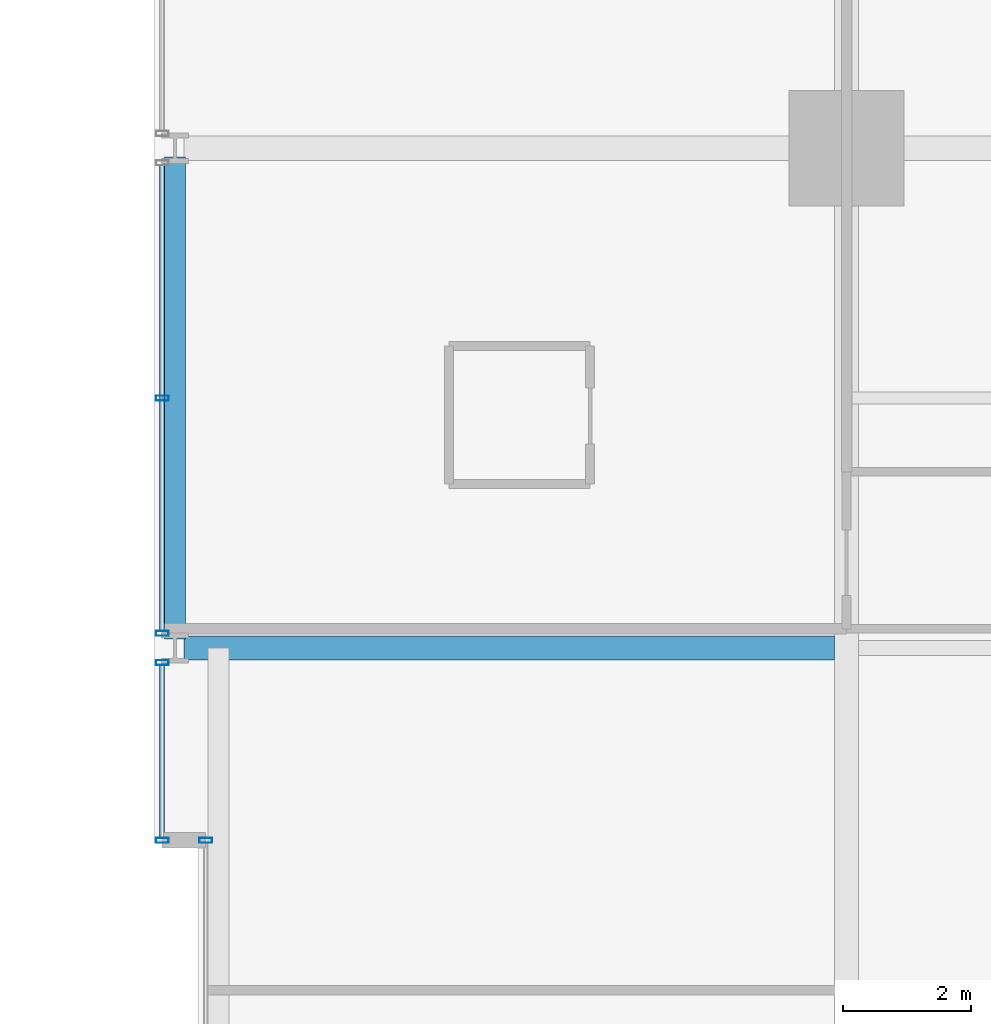
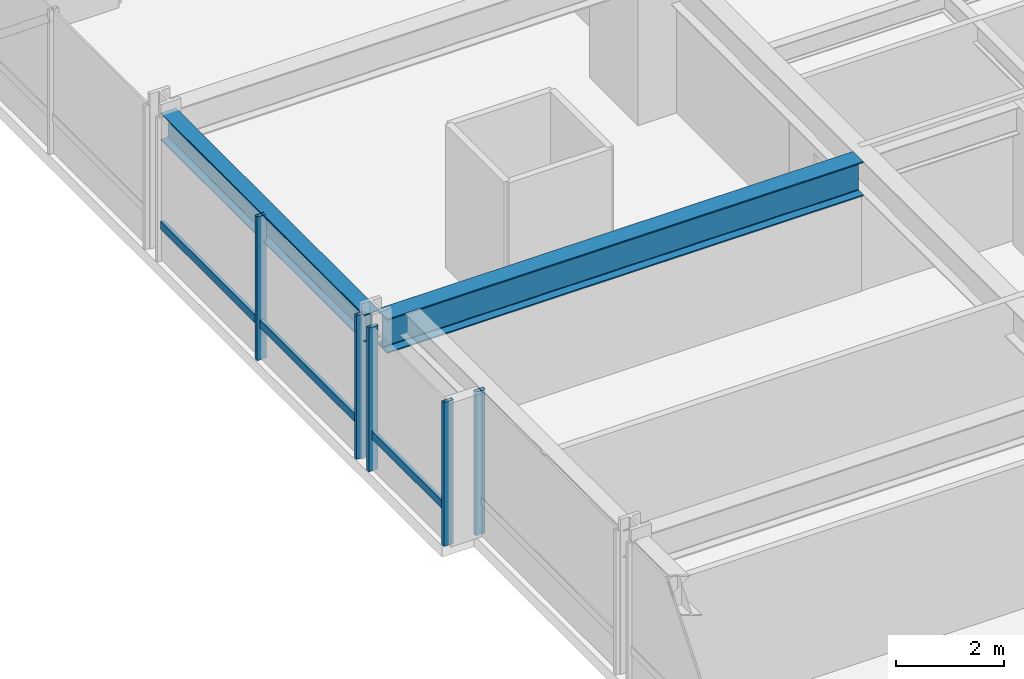
# One storey, part 17 of 37: 7 members, 2 beams, 3 elements without a shape of their own.
"""IFC4 building model written with IfcOpenShell, lengths in metres."""

from ifc_helpers import new_model, si_unit, direction, frame, origin, origin_2d, place, context, subcontext, project, spatial, hollow_rectangle, i_section, extrude, material, layer, layer_set, material_profile, profile_set, type_object, element, aggregate, save


model = new_model("IFC4")

# Units and contexts
model_context = context("Model", 3, precision=1e-05, world=origin(), true_north=direction((0.0, 1.0)))
body_context = subcontext(model_context, "Body", "Model", "MODEL_VIEW")
ifc_project = project(units=[si_unit("LENGTHUNIT", "METRE"), si_unit("AREAUNIT", "SQUARE_METRE"), si_unit("VOLUMEUNIT", "CUBIC_METRE"), si_unit("PLANEANGLEUNIT", "RADIAN"), si_unit("MASSUNIT", "GRAM", prefix="KILO")], contexts=[model_context])

# Site, building, storey
site_placement = place(None, origin())
site = spatial("IfcSite", under=ifc_project, at=site_placement, CompositionType="ELEMENT")
building_placement = place(site_placement, origin())
building = spatial("IfcBuilding", under=site, at=building_placement, Name="Drelvath Grand Hotel", CompositionType="ELEMENT")
storey_placement = place(building_placement, frame((0.0, 0.0, 75.199951171875)))
storey = spatial("IfcBuildingStorey", under=building, at=storey_placement, Name="L18", CompositionType="ELEMENT", Elevation=75.199951171875)

# Curtain wall, member
ifc_material_1 = material(Name="Warm Bronze Anodised Aluminium Frame", Category="aluminium")
ifc_layer = layer(ifc_material_1, 0.199951171875)
ifc_layer_set = layer_set([ifc_layer], Name="Warm Bronze Anodised Aluminium Frame")
curtain_wall_type = type_object("IfcCurtainWallType", Name="Stick Curtain Wall CW-02 Warm Bronze Low-Rise", PredefinedType="NOTDEFINED", material=ifc_layer_set)
curtain_wall_1_placement = place(storey_placement, origin())
curtain_wall_1 = element("IfcCurtainWall", 1, at=curtain_wall_1_placement, inside=storey, type_object=curtain_wall_type, Name="L18 CW-02 Curtain Wall CW02-L18-WN1", PredefinedType="NOTDEFINED")
ifc_material_profile_1 = material_profile(ifc_material_1, hollow_rectangle(XDim=0.074951171875, YDim=0.179931640625, WallThickness=0.0048828125, at=origin_2d()), Name="HSS180X75X5")
ifc_profile_set_1 = profile_set([ifc_material_profile_1], Name="Warm Bronze Anodised Aluminium Frame")
member_type_1 = type_object("IfcMemberType", Name="Curtain Wall Horizontal Transom CW-02 HSS180X75X5", PredefinedType="USERDEFINED", material=ifc_profile_set_1)
member_1_placement = place(storey_placement, frame((-26.8798828125, 32.43994140625, 0.81005859375), z_axis=(0.0, 1.0, 0.0), x_axis=(-1.0, 0.0, 0.0)))
member_1 = element("IfcMember", 2, at=member_1_placement, type_object=member_type_1, Name="CW02-L18-WN1 Sill Transom", ObjectType="TRANSOM", PredefinedType="USERDEFINED", context=body_context, shape_type="SweptSolid", body=[
    extrude(hollow_rectangle(XDim=0.074951171875, YDim=0.179931640625, WallThickness=0.0048828125, at=origin_2d()), origin(), (0.0, 0.0, 1.0), 2.69091796875),
])

curtain_wall_2_placement = place(storey_placement, origin())
curtain_wall_2 = element("IfcCurtainWall", 3, at=curtain_wall_2_placement, inside=storey, type_object=curtain_wall_type, Name="L18 CW-02 Curtain Wall CW02-L18-WN2", PredefinedType="NOTDEFINED")
member_2_placement = place(storey_placement, frame((-26.8798828125, 35.669189453125, 0.81005859375), z_axis=(0.0, 1.0, 0.0), x_axis=(-1.0, 0.0, 0.0)))
member_2 = element("IfcMember", 4, at=member_2_placement, type_object=member_type_1, Name="CW02-L18-WN2 Sill Transom", ObjectType="TRANSOM", PredefinedType="USERDEFINED", context=body_context, shape_type="SweptSolid", body=[
    extrude(hollow_rectangle(XDim=0.074951171875, YDim=0.179931640625, WallThickness=0.0048828125, at=origin_2d()), origin(), (0.0, 0.0, 1.0), 7.26171875),
])

curtain_wall_3_placement = place(storey_placement, origin())
curtain_wall_3 = element("IfcCurtainWall", 5, at=curtain_wall_3_placement, inside=storey, type_object=curtain_wall_type, Name="L18 CW-02 Curtain Wall CW02-L18-WM2", PredefinedType="NOTDEFINED")
ifc_material_profile_2 = material_profile(ifc_material_1, hollow_rectangle(XDim=0.080078125, YDim=0.199951171875, WallThickness=0.0048828125, at=origin_2d()), Name="HSS200X80X5")
ifc_profile_set_2 = profile_set([ifc_material_profile_2], Name="Warm Bronze Anodised Aluminium Frame")
member_type_2 = type_object("IfcMemberType", Name="Curtain Wall Vertical Mullion CW-02 HSS200X80X5", PredefinedType="MULLION", material=ifc_profile_set_2)
member_3_placement = place(storey_placement, frame((-26.199951171875, 32.39990234375, 0.0), z_axis=(0.0, 0.0, 1.0), x_axis=(0.0, 1.0, 0.0)))
member_3 = element("IfcMember", 6, at=member_3_placement, type_object=member_type_2, Name="CW02-L18-WM2 Mullion 2", PredefinedType="MULLION", context=body_context, shape_type="SweptSolid", body=[
    extrude(hollow_rectangle(XDim=0.080078125, YDim=0.199951171875, WallThickness=0.0048828125, at=origin_2d()), origin(), (0.0, 0.0, 1.0), 3.239990234375),
])
aggregate(curtain_wall_3, [member_3])

# Member
member_4_placement = place(storey_placement, frame((-26.8798828125, 32.39990234375, 0.0), z_axis=(0.0, 0.0, 1.0), x_axis=(0.0, 1.0, 0.0)))
member_4 = element("IfcMember", 7, at=member_4_placement, type_object=member_type_2, Name="CW02-L18-WN1 Mullion 1", PredefinedType="MULLION", context=body_context, shape_type="SweptSolid", body=[
    extrude(hollow_rectangle(XDim=0.080078125, YDim=0.199951171875, WallThickness=0.0048828125, at=origin_2d()), origin(), (0.0, 0.0, 1.0), 3.239990234375),
])

member_5_placement = place(storey_placement, frame((-26.8798828125, 35.1708984375, 0.0), z_axis=(0.0, 0.0, 1.0), x_axis=(0.0, 1.0, 0.0)))
member_5 = element("IfcMember", 8, at=member_5_placement, type_object=member_type_2, Name="CW02-L18-WN1 Mullion 2", PredefinedType="MULLION", context=body_context, shape_type="SweptSolid", body=[
    extrude(hollow_rectangle(XDim=0.080078125, YDim=0.199951171875, WallThickness=0.0048828125, at=origin_2d()), origin(), (0.0, 0.0, 1.0), 3.239990234375),
])

aggregate(curtain_wall_1, [member_4, member_5, member_1])

member_6_placement = place(storey_placement, frame((-26.8798828125, 35.629150390625, 0.0), z_axis=(0.0, 0.0, 1.0), x_axis=(0.0, 1.0, 0.0)))
member_6 = element("IfcMember", 9, at=member_6_placement, type_object=member_type_2, Name="CW02-L18-WN2 Mullion 1", PredefinedType="MULLION", context=body_context, shape_type="SweptSolid", body=[
    extrude(hollow_rectangle(XDim=0.080078125, YDim=0.199951171875, WallThickness=0.0048828125, at=origin_2d()), origin(), (0.0, 0.0, 1.0), 3.239990234375),
])

member_7_placement = place(storey_placement, frame((-26.8798828125, 39.300048828125, 0.0), z_axis=(0.0, 0.0, 1.0), x_axis=(0.0, 1.0, 0.0)))
member_7 = element("IfcMember", 10, at=member_7_placement, type_object=member_type_2, Name="CW02-L18-WN2 Mullion 2", PredefinedType="MULLION", context=body_context, shape_type="SweptSolid", body=[
    extrude(hollow_rectangle(XDim=0.080078125, YDim=0.199951171875, WallThickness=0.0048828125, at=origin_2d()), origin(), (0.0, 0.0, 1.0), 3.239990234375),
])

aggregate(curtain_wall_2, [member_6, member_7, member_2])

# Beams
ifc_material_2 = material(Name="Steel ASTM A992 Gr 50", Category="steel")
ifc_material_profile_3 = material_profile(ifc_material_2, i_section(OverallWidth=0.323974609375, OverallDepth=0.611083984375, WebThickness=0.0126953125, FlangeThickness=0.01904296875, FilletRadius=0.02197265625, at=origin_2d()), Name="W24X104")
ifc_profile_set_3 = profile_set([ifc_material_profile_3], Name="Steel ASTM A992 Gr 50")
beam_type_1 = type_object("IfcBeamType", Name="Perimeter Spandrel Beam W24X104", PredefinedType="SPANDREL", material=ifc_profile_set_3)
beam_1_placement = place(storey_placement, frame((-26.679931640625, 35.5400390625, 2.9345703125), z_axis=(0.0, 1.0, 0.0), x_axis=(-1.0, 0.0, 0.0)))
element("IfcBeam", 11, at=beam_1_placement, inside=storey, type_object=beam_type_1, Name="L18 Spandrel West N", PredefinedType="SPANDREL", context=body_context, shape_type="SweptSolid", body=[
    extrude(i_section(OverallWidth=0.323974609375, OverallDepth=0.611083984375, WebThickness=0.0126953125, FlangeThickness=0.01904296875, FilletRadius=0.02197265625, at=origin_2d()), origin(), (0.0, 0.0, 1.0), 7.52001953125),
])
ifc_material_profile_4 = material_profile(ifc_material_2, i_section(OverallWidth=0.380615234375, OverallDepth=0.773193359375, WebThickness=0.0166015625, FlangeThickness=0.027099609375, FilletRadius=0.02490234375, at=origin_2d()), Name="W30X173")
ifc_profile_set_4 = profile_set([ifc_material_profile_4], Name="Steel ASTM A992 Gr 50")
beam_type_2 = type_object("IfcBeamType", Name="Primary Floor Girder W30X173", PredefinedType="BEAM", material=ifc_profile_set_4)
beam_2_placement = place(storey_placement, frame((-26.5400390625, 35.39990234375, 2.853515625), z_axis=(1.0, 0.0, 0.0), x_axis=(0.0, 1.0, 0.0)))
element("IfcBeam", 12, at=beam_2_placement, inside=storey, type_object=beam_type_2, Name="L18 West Wing Girder F", PredefinedType="BEAM", context=body_context, shape_type="SweptSolid", body=[
    extrude(i_section(OverallWidth=0.380615234375, OverallDepth=0.773193359375, WebThickness=0.0166015625, FlangeThickness=0.027099609375, FilletRadius=0.02490234375, at=origin_2d()), origin(), (0.0, 0.0, 1.0), 10.149658203125),
])

save(model, "model.ifc")
